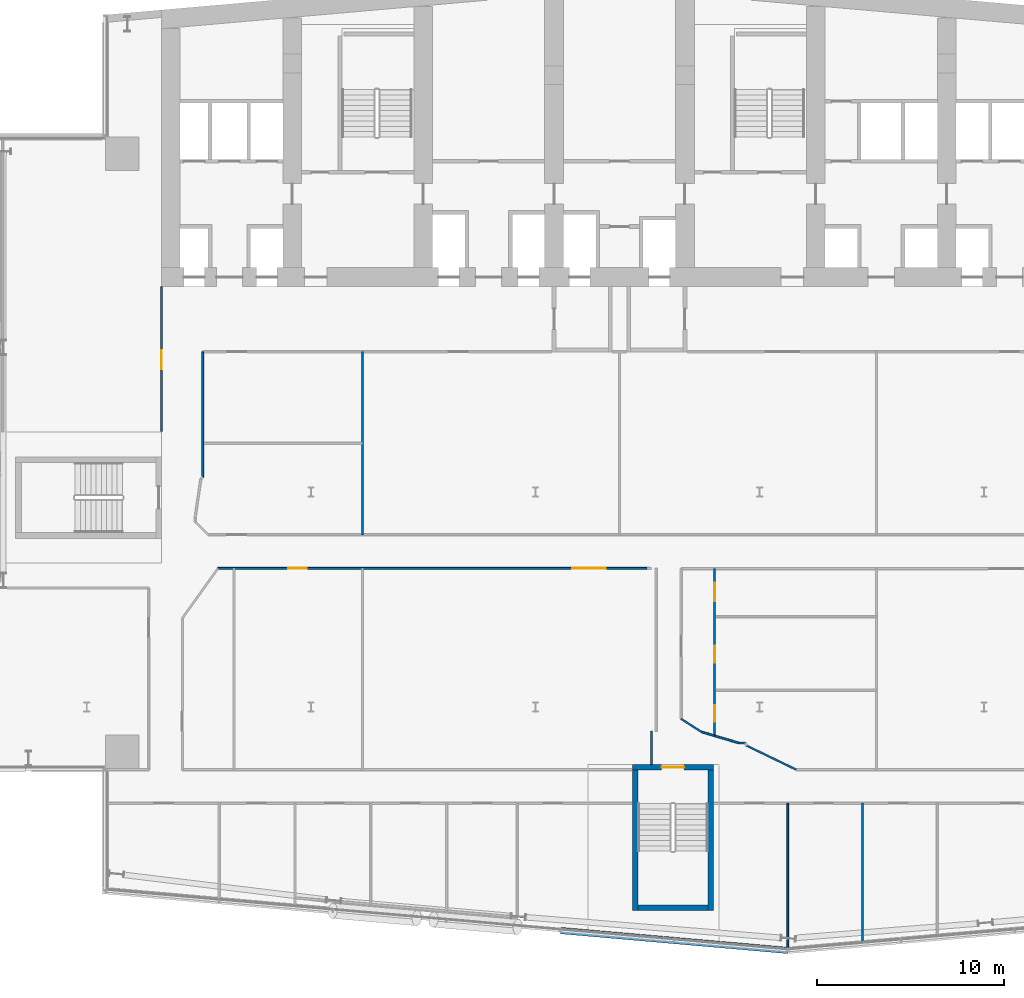
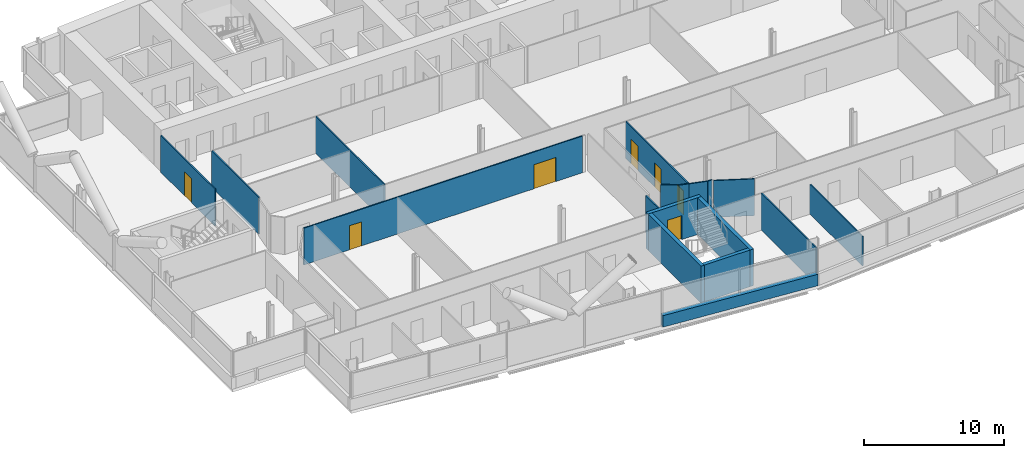
# One storey, part 15 of 28: 18 walls, 7 doors, 7 openings.
"""IFC4 building model written with IfcOpenShell, lengths in metres."""

from ifc_helpers import new_model, si_unit, direction, frame, frame_2d, origin, place, context, subcontext, project, spatial, rectangle, extrude, material, layer, layer_set, type_object, element, fill, save


model = new_model("IFC4")

# Units and contexts
model_context = context("Model", 3, precision=1e-05, world=origin(), true_north=direction((0.0, 1.0)))
body_context = subcontext(model_context, "Body", "Model", "MODEL_VIEW")
ifc_project = project(units=[si_unit("LENGTHUNIT", "METRE"), si_unit("AREAUNIT", "SQUARE_METRE"), si_unit("VOLUMEUNIT", "CUBIC_METRE"), si_unit("PLANEANGLEUNIT", "RADIAN"), si_unit("MASSUNIT", "GRAM", prefix="KILO")], contexts=[model_context])

# Site, building, storey
site_placement = place(None, origin())
site = spatial("IfcSite", under=ifc_project, at=site_placement, CompositionType="ELEMENT")
building_placement = place(site_placement, origin())
building = spatial("IfcBuilding", under=site, at=building_placement, Name="Wharfspan Tower", CompositionType="ELEMENT")
storey_placement = place(building_placement, frame((0.0, 0.0, 132.699951)))
storey = spatial("IfcBuildingStorey", under=building, at=storey_placement, Name="L31", CompositionType="ELEMENT", Elevation=132.699951)

# Wall, opening, door
ifc_material_1 = material(Name="Gypsum board on steel studs", Category="steel")
ifc_layer_1 = layer(ifc_material_1, 0.100098)
ifc_layer_set_1 = layer_set([ifc_layer_1], Name="Gypsum board on steel studs")
wall_type_1 = type_object("IfcWallType", Name="Compartment wall 100 EI 60", PredefinedType="PARTITIONING", material=ifc_layer_set_1)
wall_1_placement = place(storey_placement, frame((16.0, 26.25, 0.0), z_axis=(0.0, 0.0, 1.0), x_axis=(0.0, 1.0, 0.0)))
wall_1 = element("IfcWall", 1, at=wall_1_placement, inside=storey, type_object=wall_type_1, Name="Partition L31.w006", PredefinedType="PARTITIONING", context=body_context, shape_type="SweptSolid", body=[
    extrude(rectangle(XDim=7.72998, YDim=0.100098, at=frame_2d((3.86499, 0.0))), origin(), (0.0, 0.0, 1.0), 3.199951),
])
opening_1_placement = place(wall_1_placement, frame((3.330078, 0.0, 0.0)))
opening_1 = element("IfcOpeningElement", 2, at=opening_1_placement, cuts=wall_1, Name="Opening B5-29", PredefinedType="OPENING", context=body_context, shape_type="SweptSolid", body=[
    extrude(rectangle(XDim=1.0, YDim=2.100098, at=frame_2d((0.5, 1.050049))), frame((0.0, 0.060059, 0.0), z_axis=(0.0, -1.0, 0.0), x_axis=(1.0, 0.0, 0.0)), (0.0, 0.0, 1.0), 0.120117),
])
ifc_material_2 = material(Name="Fire-rated timber door leaf in steel frame", Category="steel")
door_type_1 = type_object("IfcDoorType", Name="Door 1000 FD30S Left", OperationType="SINGLE_SWING_LEFT", PredefinedType="DOOR", material=ifc_material_2)
door_1_placement = place(opening_1_placement, origin())
door_1 = element("IfcDoor", 3, at=door_1_placement, inside=storey, type_object=door_type_1, Name="Door B5-29", OperationType="SINGLE_SWING_LEFT", OverallHeight=2.100098, OverallWidth=1.0, PredefinedType="DOOR", context=body_context, shape_type="SweptSolid", body=[
    extrude(rectangle(XDim=1.0, YDim=2.100098, at=frame_2d((0.5, 1.050049))), frame((0.0, 0.024902, 0.0), z_axis=(0.0, -1.0, 0.0), x_axis=(1.0, 0.0, 0.0)), (0.0, 0.0, 1.0), 0.050049),
])
fill(opening_1, door_1)

# Wall
wall_2_placement = place(storey_placement, frame((18.199951, 23.800049, 0.0), z_axis=(0.0, 0.0, 1.0), x_axis=(0.0, 1.0, 0.0)))
element("IfcWall", 4, at=wall_2_placement, inside=storey, type_object=wall_type_1, Name="Partition L31.w015", PredefinedType="PARTITIONING", context=body_context, shape_type="SweptSolid", body=[
    extrude(rectangle(XDim=6.699951, YDim=0.100098, at=frame_2d((3.350098, 0.0))), origin(), (0.0, 0.0, 1.0), 3.199951),
])

# Wall, openings, doors
wall_3_placement = place(storey_placement, frame((19.02002, 18.915039, 0.0), z_axis=(0.0, 0.0, 1.0), x_axis=(1.0, 0.0, 0.0)))
wall_3 = element("IfcWall", 5, at=wall_3_placement, inside=storey, type_object=wall_type_1, Name="Partition L31.w020", PredefinedType="PARTITIONING", context=body_context, shape_type="SweptSolid", body=[
    extrude(rectangle(XDim=22.965088, YDim=0.100098, at=frame_2d((11.482422, 0.0))), origin(), (0.0, 0.0, 1.0), 3.199951),
])
opening_2_placement = place(wall_3_placement, frame((3.754883, 0.0, 0.0)))
opening_2 = element("IfcOpeningElement", 6, at=opening_2_placement, cuts=wall_3, Name="Opening B5-24", PredefinedType="OPENING", context=body_context, shape_type="SweptSolid", body=[
    extrude(rectangle(XDim=1.0, YDim=2.100098, at=frame_2d((0.5, 1.050049))), frame((0.0, 0.060059, 0.0), z_axis=(0.0, -1.0, 0.0), x_axis=(1.0, 0.0, 0.0)), (0.0, 0.0, 1.0), 0.120117),
])
opening_3_placement = place(wall_3_placement, frame((18.949951, 0.0, 0.0)))
opening_3 = element("IfcOpeningElement", 7, at=opening_3_placement, cuts=wall_3, Name="Opening B5-25", PredefinedType="OPENING", context=body_context, shape_type="SweptSolid", body=[
    extrude(rectangle(XDim=1.800049, YDim=2.100098, at=frame_2d((0.899902, 1.050049))), frame((0.0, 0.060059, 0.0), z_axis=(0.0, -1.0, 0.0), x_axis=(1.0, 0.0, 0.0)), (0.0, 0.0, 1.0), 0.120117),
])
door_2_placement = place(opening_2_placement, origin())
door_2 = element("IfcDoor", 8, at=door_2_placement, inside=storey, type_object=door_type_1, Name="Door B5-24", OperationType="SINGLE_SWING_LEFT", OverallHeight=2.100098, OverallWidth=1.0, PredefinedType="DOOR", context=body_context, shape_type="SweptSolid", body=[
    extrude(rectangle(XDim=1.0, YDim=2.100098, at=frame_2d((0.5, 1.050049))), frame((0.0, 0.024902, 0.0), z_axis=(0.0, -1.0, 0.0), x_axis=(1.0, 0.0, 0.0)), (0.0, 0.0, 1.0), 0.050049),
])
fill(opening_2, door_2)
door_type_2 = type_object("IfcDoorType", Name="Door 1800 FD30S Double", OperationType="DOUBLE_DOOR_SINGLE_SWING", PredefinedType="DOOR", material=ifc_material_2)
door_3_placement = place(opening_3_placement, origin())
door_3 = element("IfcDoor", 9, at=door_3_placement, inside=storey, type_object=door_type_2, Name="Door B5-25", OperationType="DOUBLE_DOOR_SINGLE_SWING", OverallHeight=2.100098, OverallWidth=1.800049, PredefinedType="DOOR", context=body_context, shape_type="SweptSolid", body=[
    extrude(rectangle(XDim=1.800049, YDim=2.100098, at=frame_2d((0.899902, 1.050049))), frame((0.0, 0.024902, 0.0), z_axis=(0.0, -1.0, 0.0), x_axis=(1.0, 0.0, 0.0)), (0.0, 0.0, 1.0), 0.050049),
])
fill(opening_3, door_3)

# Walls
wall_4_placement = place(storey_placement, frame((26.75, 20.715088, 0.0), z_axis=(0.0, 0.0, 1.0), x_axis=(0.0, 1.0, 0.0)))
element("IfcWall", 10, at=wall_4_placement, inside=storey, type_object=wall_type_1, Name="Partition L31.w027", PredefinedType="PARTITIONING", context=body_context, shape_type="SweptSolid", body=[
    extrude(rectangle(XDim=9.784912, YDim=0.100098, at=frame_2d((4.892578, 0.0))), origin(), (0.0, 0.0, 1.0), 3.199951),
])
wall_5_placement = place(storey_placement, frame((42.209961, 8.416992, 0.0), z_axis=(0.0, 0.0, 1.0), x_axis=(0.0, 1.0, 0.0)))
element("IfcWall", 11, at=wall_5_placement, inside=storey, type_object=wall_type_1, Name="Partition L31.w034", PredefinedType="PARTITIONING", context=body_context, shape_type="SweptSolid", body=[
    extrude(rectangle(XDim=1.792969, YDim=0.100098, at=frame_2d((0.896484, 0.0))), origin(), (0.0, 0.0, 1.0), 3.199951),
])
wall_6_placement = place(storey_placement, frame((44.889893, 10.165039, 0.0), z_axis=(0.0, 0.0, 1.0), x_axis=(-0.842559, 0.538599, 0.0)))
element("IfcWall", 12, at=wall_6_placement, inside=storey, type_object=wall_type_1, Name="Partition L31.w039", PredefinedType="PARTITIONING", context=body_context, shape_type="SweptSolid", body=[
    extrude(rectangle(XDim=1.299561, YDim=0.100098, at=frame_2d((0.649902, 0.0))), origin(), (0.0, 0.0, 1.0), 3.199951),
])

# Wall, openings, doors
wall_7_placement = place(storey_placement, frame((45.584961, 9.965088, 0.0), z_axis=(0.0, 0.0, 1.0), x_axis=(0.0, 1.0, 0.0)))
wall_7 = element("IfcWall", 13, at=wall_7_placement, inside=storey, type_object=wall_type_1, Name="Partition L31.w041", PredefinedType="PARTITIONING", context=body_context, shape_type="SweptSolid", body=[
    extrude(rectangle(XDim=8.939941, YDim=0.100098, at=frame_2d((4.469971, 0.0))), origin(), (0.0, 0.0, 1.0), 3.199951),
])
opening_4_placement = place(wall_7_placement, frame((0.73999, 0.0, 0.0)))
opening_4 = element("IfcOpeningElement", 14, at=opening_4_placement, cuts=wall_7, Name="Opening B5-15", PredefinedType="OPENING", context=body_context, shape_type="SweptSolid", body=[
    extrude(rectangle(XDim=0.899902, YDim=2.100098, at=frame_2d((0.449951, 1.050049))), frame((0.0, 0.060059, 0.0), z_axis=(0.0, -1.0, 0.0), x_axis=(1.0, 0.0, 0.0)), (0.0, 0.0, 1.0), 0.120117),
])
opening_5_placement = place(wall_7_placement, frame((3.904785, 0.0, 0.0)))
opening_5 = element("IfcOpeningElement", 15, at=opening_5_placement, cuts=wall_7, Name="Opening B5-17", PredefinedType="OPENING", context=body_context, shape_type="SweptSolid", body=[
    extrude(rectangle(XDim=0.899902, YDim=2.100098, at=frame_2d((0.449951, 1.050049))), frame((0.0, 0.060059, 0.0), z_axis=(0.0, -1.0, 0.0), x_axis=(1.0, 0.0, 0.0)), (0.0, 0.0, 1.0), 0.120117),
])
opening_6_placement = place(wall_7_placement, frame((7.184814, 0.0, 0.0)))
opening_6 = element("IfcOpeningElement", 16, at=opening_6_placement, cuts=wall_7, Name="Opening B5-23", PredefinedType="OPENING", context=body_context, shape_type="SweptSolid", body=[
    extrude(rectangle(XDim=1.0, YDim=2.100098, at=frame_2d((0.5, 1.050049))), frame((0.0, 0.060059, 0.0), z_axis=(0.0, -1.0, 0.0), x_axis=(1.0, 0.0, 0.0)), (0.0, 0.0, 1.0), 0.120117),
])
ifc_material_3 = material(Name="Timber door leaf in steel frame", Category="steel")
door_type_3 = type_object("IfcDoorType", Name="Door 1000 NOT RATED Right", OperationType="SINGLE_SWING_RIGHT", PredefinedType="DOOR", material=ifc_material_3)
door_4_placement = place(opening_6_placement, origin())
door_4 = element("IfcDoor", 17, at=door_4_placement, inside=storey, type_object=door_type_3, Name="Door B5-23", OperationType="SINGLE_SWING_RIGHT", OverallHeight=2.100098, OverallWidth=1.0, PredefinedType="DOOR", context=body_context, shape_type="SweptSolid", body=[
    extrude(rectangle(XDim=1.0, YDim=2.100098, at=frame_2d((0.5, 1.050049))), frame((0.0, 0.024902, 0.0), z_axis=(0.0, -1.0, 0.0), x_axis=(1.0, 0.0, 0.0)), (0.0, 0.0, 1.0), 0.050049),
])
fill(opening_6, door_4)
door_type_4 = type_object("IfcDoorType", Name="Door 900 NOT RATED Left", OperationType="SINGLE_SWING_LEFT", PredefinedType="DOOR", material=ifc_material_3)
door_5_placement = place(opening_4_placement, origin())
door_5 = element("IfcDoor", 18, at=door_5_placement, inside=storey, type_object=door_type_4, Name="Door B5-15", OperationType="SINGLE_SWING_LEFT", OverallHeight=2.100098, OverallWidth=0.899902, PredefinedType="DOOR", context=body_context, shape_type="SweptSolid", body=[
    extrude(rectangle(XDim=0.899902, YDim=2.100098, at=frame_2d((0.449951, 1.050049))), frame((0.0, 0.024902, 0.0), z_axis=(0.0, -1.0, 0.0), x_axis=(1.0, 0.0, 0.0)), (0.0, 0.0, 1.0), 0.050049),
])
fill(opening_4, door_5)
door_6_placement = place(opening_5_placement, origin())
door_6 = element("IfcDoor", 19, at=door_6_placement, inside=storey, type_object=door_type_4, Name="Door B5-17", OperationType="SINGLE_SWING_LEFT", OverallHeight=2.100098, OverallWidth=0.899902, PredefinedType="DOOR", context=body_context, shape_type="SweptSolid", body=[
    extrude(rectangle(XDim=0.899902, YDim=2.100098, at=frame_2d((0.449951, 1.050049))), frame((0.0, 0.024902, 0.0), z_axis=(0.0, -1.0, 0.0), x_axis=(1.0, 0.0, 0.0)), (0.0, 0.0, 1.0), 0.050049),
])
fill(opening_5, door_6)

# Walls
wall_8_placement = place(storey_placement, frame((45.584961, 9.965088, 0.0), z_axis=(0.0, 0.0, 1.0), x_axis=(-0.961024, 0.276459, 0.0)))
element("IfcWall", 20, at=wall_8_placement, inside=storey, type_object=wall_type_1, Name="Partition L31.w044", PredefinedType="PARTITIONING", context=body_context, shape_type="SweptSolid", body=[
    extrude(rectangle(XDim=0.723145, YDim=0.100098, at=frame_2d((0.361572, 0.0))), origin(), (0.0, 0.0, 1.0), 3.199951),
])
wall_9_placement = place(storey_placement, frame((46.899902, 9.574951, 0.0), z_axis=(0.0, 0.0, 1.0), x_axis=(-0.960666, 0.277712, 0.0)))
element("IfcWall", 21, at=wall_9_placement, inside=storey, type_object=wall_type_1, Name="Partition L31.w045", PredefinedType="PARTITIONING", context=body_context, shape_type="SweptSolid", body=[
    extrude(rectangle(XDim=1.368896, YDim=0.100098, at=frame_2d((0.68457, 0.0))), origin(), (0.0, 0.0, 1.0), 3.199951),
])
wall_10_placement = place(storey_placement, frame((46.899902, 9.574951, 0.0), z_axis=(0.0, 0.0, 1.0), x_axis=(1.0, 0.0, 0.0)))
element("IfcWall", 22, at=wall_10_placement, inside=storey, type_object=wall_type_1, Name="Partition L31.w046", PredefinedType="PARTITIONING", context=body_context, shape_type="SweptSolid", body=[
    extrude(rectangle(XDim=0.335205, YDim=0.100098, at=frame_2d((0.16748, 0.0))), origin(), (0.0, 0.0, 1.0), 3.199951),
])
wall_11_placement = place(storey_placement, frame((49.5, -1.498291, 0.0), z_axis=(0.0, 0.0, 1.0), x_axis=(0.0, 1.0, 0.0)))
element("IfcWall", 23, at=wall_11_placement, inside=storey, type_object=wall_type_1, Name="Partition L31.w048", PredefinedType="PARTITIONING", context=body_context, shape_type="SweptSolid", body=[
    extrude(rectangle(XDim=7.843262, YDim=0.100098, at=frame_2d((3.921631, 0.0))), origin(), (0.0, 0.0, 1.0), 3.199951),
])
wall_12_placement = place(storey_placement, frame((49.955078, 8.149902, 0.0), z_axis=(0.0, 0.0, 1.0), x_axis=(-0.900464, 0.434927, 0.0)))
element("IfcWall", 24, at=wall_12_placement, inside=storey, type_object=wall_type_1, Name="Partition L31.w049", PredefinedType="PARTITIONING", context=body_context, shape_type="SweptSolid", body=[
    extrude(rectangle(XDim=2.943115, YDim=0.100098, at=frame_2d((1.47168, 0.0))), origin(), (0.0, 0.0, 1.0), 3.199951),
])
wall_13_placement = place(storey_placement, frame((53.5, -1.148193, 0.0), z_axis=(0.0, 0.0, 1.0), x_axis=(0.0, 1.0, 0.0)))
element("IfcWall", 25, at=wall_13_placement, inside=storey, type_object=wall_type_1, Name="Partition L31.w051", PredefinedType="PARTITIONING", context=body_context, shape_type="SweptSolid", body=[
    extrude(rectangle(XDim=7.493164, YDim=0.100098, at=frame_2d((3.746582, 0.0))), origin(), (0.0, 0.0, 1.0), 2.580078),
])
ifc_material_4 = material(Name="Concrete C40/50", Category="concrete")
ifc_layer_2 = layer(ifc_material_4, 0.350098)
ifc_layer_set_2 = layer_set([ifc_layer_2], Name="Concrete C40/50")
wall_type_2 = type_object("IfcWallType", Name="SPANDREL EXPOSED CONCRETE 350", PredefinedType="SOLIDWALL", material=ifc_layer_set_2)
wall_14_placement = place(storey_placement, frame((37.362793, -0.461426, 0.0), z_axis=(0.0, 0.0, 1.0), x_axis=(0.996194, -0.087159, 0.0)))
element("IfcWall", 26, at=wall_14_placement, inside=storey, type_object=wall_type_2, Name="Spandrel upstand L31 S1 2", PredefinedType="SOLIDWALL", context=body_context, shape_type="SweptSolid", body=[
    extrude(rectangle(XDim=12.19873, YDim=0.350098, at=frame_2d((6.099365, 0.0))), origin(), (0.0, 0.0, 1.0), 1.0),
])

# Wall, opening, door
ifc_layer_3 = layer(ifc_material_4, 0.300049)
ifc_layer_set_3 = layer_set([ifc_layer_3], Name="Concrete C40/50")
wall_type_3 = type_object("IfcWallType", Name="Stair core wall 300", PredefinedType="SHEAR", material=ifc_layer_set_3)
wall_15_placement = place(storey_placement, frame((41.185303, 8.26709, 0.0), z_axis=(0.0, 0.0, 1.0), x_axis=(1.0, 0.0, 0.0)))
wall_15 = element("IfcWall", 27, at=wall_15_placement, inside=storey, type_object=wall_type_3, Name="ST4 stair enclosure wall L31", PredefinedType="SHEAR", context=body_context, shape_type="SweptSolid", body=[
    extrude(rectangle(XDim=4.350098, YDim=0.300049, at=frame_2d((2.175049, 0.0))), origin(), (0.0, 0.0, 1.0), 3.199951),
])
opening_7_placement = place(wall_15_placement, frame((1.574951, 0.0, 0.0)))
opening_7 = element("IfcOpeningElement", 28, at=opening_7_placement, cuts=wall_15, Name="Opening SD4.L31", PredefinedType="OPENING", context=body_context, shape_type="SweptSolid", body=[
    extrude(rectangle(XDim=1.199951, YDim=2.100098, at=frame_2d((0.600098, 1.050049))), frame((0.0, 0.159912, 0.0), z_axis=(0.0, -1.0, 0.0), x_axis=(1.0, 0.0, 0.0)), (0.0, 0.0, 1.0), 0.320068),
])
ifc_material_5 = material(Name="Steel door leaf", Category="steel")
door_type_5 = type_object("IfcDoorType", Name="Stair door 1200x2100", OperationType="SINGLE_SWING_LEFT", PredefinedType="DOOR", material=ifc_material_5)
door_7_placement = place(opening_7_placement, origin())
door_7 = element("IfcDoor", 29, at=door_7_placement, inside=storey, type_object=door_type_5, Name="sd:L31:ST4z2", OperationType="SINGLE_SWING_RIGHT", OverallHeight=2.100098, OverallWidth=1.199951, PredefinedType="DOOR", context=body_context, shape_type="SweptSolid", body=[
    extrude(rectangle(XDim=1.199951, YDim=2.100098, at=frame_2d((0.600098, 1.050049))), frame((0.0, 0.024902, 0.0), z_axis=(0.0, -1.0, 0.0), x_axis=(1.0, 0.0, 0.0)), (0.0, 0.0, 1.0), 0.050049),
])
fill(opening_7, door_7)

# Walls
for number, where, z_axis, x_axis, name in (
    (30, (41.335205, 0.616943, 0.0), (0.0, 0.0, 1.0), (0.0, 1.0, 0.0), "ST4 stair enclosure wall L31"),
    (31, (45.385254, 0.616943, 0.0), (0.0, 0.0, 1.0), (0.0, 1.0, 0.0), "ST4 stair enclosure wall L31"),
):
    element("IfcWall", number, at=place(storey_placement, frame(where, z_axis=z_axis, x_axis=x_axis)), inside=storey, type_object=wall_type_3, Name=name, PredefinedType="SHEAR", context=body_context, shape_type="SweptSolid", body=[
        extrude(rectangle(XDim=7.5, YDim=0.300049, at=frame_2d((3.75, 0.0))), origin(), (0.0, 0.0, 1.0), 3.199951),
    ])
wall_16_placement = place(storey_placement, frame((41.485352, 0.76709, 0.0), z_axis=(0.0, 0.0, 1.0), x_axis=(1.0, 0.0, 0.0)))
element("IfcWall", 32, at=wall_16_placement, inside=storey, type_object=wall_type_3, Name="ST4 stair enclosure wall L31", PredefinedType="SHEAR", context=body_context, shape_type="SweptSolid", body=[
    extrude(rectangle(XDim=3.75, YDim=0.300049, at=frame_2d((1.875, 0.0))), origin(), (0.0, 0.0, 1.0), 3.199951),
])

save(model, "model.ifc")
